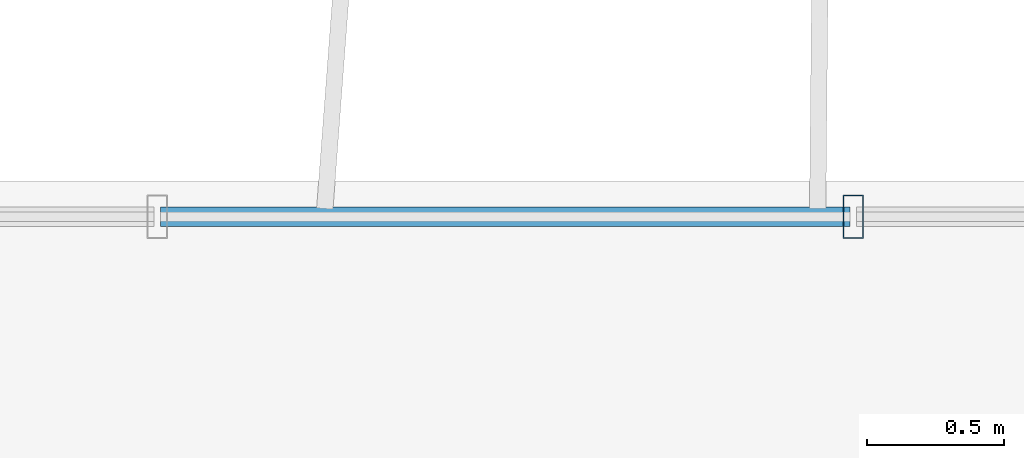
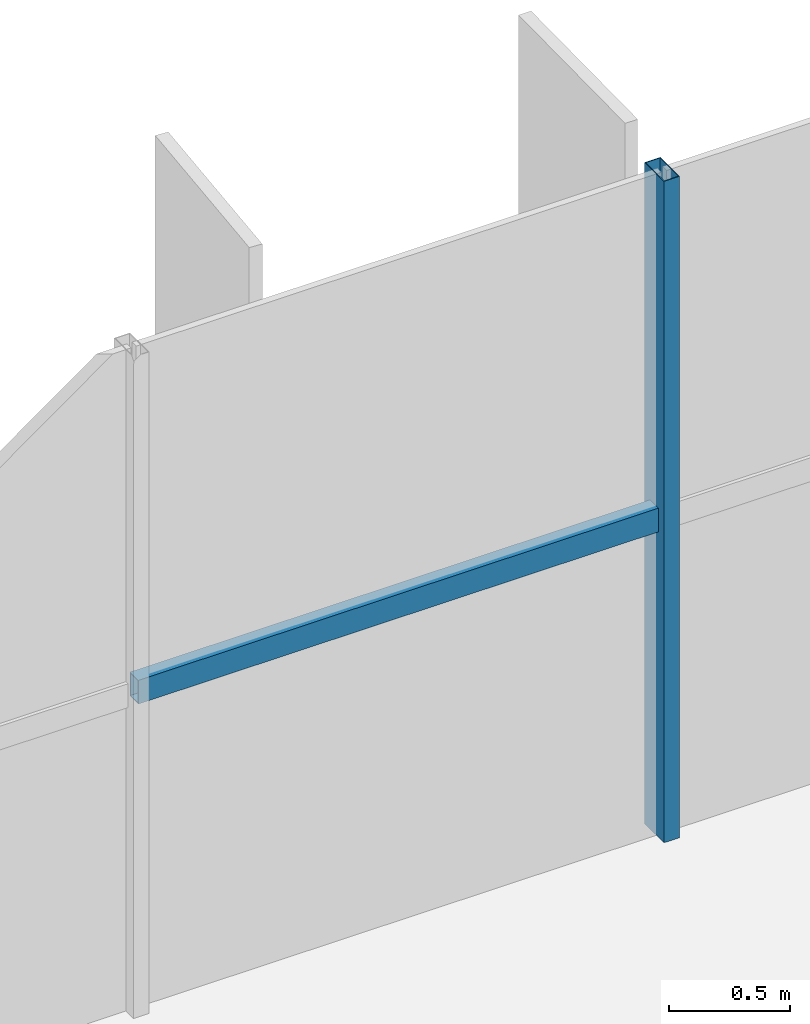
# One storey, part 7 of 22: 2 members, 1 element without a shape of its own.
"""IFC4 building model written with IfcOpenShell, lengths in metres."""

from ifc_helpers import new_model, si_unit, direction, frame, origin, origin_2d, place, context, subcontext, project, spatial, hollow_rectangle, extrude, source, transform, mapped, material, material_profile, profile_set, type_object, element, aggregate, save


model = new_model("IFC4")

# Units and contexts
model_context = context("Model", 3, precision=1e-05, world=origin(), true_north=direction((0.0, 1.0)))
body_context = subcontext(model_context, "Body", "Model", "MODEL_VIEW")
ifc_project = project(units=[si_unit("LENGTHUNIT", "METRE"), si_unit("AREAUNIT", "SQUARE_METRE"), si_unit("VOLUMEUNIT", "CUBIC_METRE"), si_unit("PLANEANGLEUNIT", "RADIAN"), si_unit("MASSUNIT", "GRAM", prefix="KILO")], contexts=[model_context])

# Site, building, storey
site_placement = place(None, origin())
site = spatial("IfcSite", under=ifc_project, at=site_placement, CompositionType="ELEMENT")
building_placement = place(site_placement, origin())
building = spatial("IfcBuilding", under=site, at=building_placement, Name="Trelvane Seafront Commons", CompositionType="ELEMENT")
storey_placement = place(building_placement, frame((0.0, 0.0, 132.10009765625)))
storey = spatial("IfcBuildingStorey", under=building, at=storey_placement, Name="L34", CompositionType="ELEMENT", Elevation=132.10009765625)

# Curtain wall, members
ifc_material = material(Name="Anodised pale-silver aluminium", Category="aluminium")
curtain_wall_type = type_object("IfcCurtainWallType", Name="ARCH-CW5-UPTOWER", PredefinedType="NOTDEFINED", material=ifc_material)
curtain_wall_placement = place(storey_placement, origin())
curtain_wall = element("IfcCurtainWall", 1, at=curtain_wall_placement, inside=storey, type_object=curtain_wall_type, Name="CW-L34-0061", PredefinedType="NOTDEFINED")
ifc_material_profile_1 = material_profile(ifc_material, hollow_rectangle(XDim=0.070068359375, YDim=0.1201171875, WallThickness=0.00390625, at=origin_2d()), Name="TRAN-70x120x4")
ifc_profile_set_1 = profile_set([ifc_material_profile_1], Name="Anodised pale-silver aluminium")
member_type_1 = type_object("IfcMemberType", Name="ARCH-CW-TRAN-120", PredefinedType="USERDEFINED", material=ifc_profile_set_1)
shared_shape_1 = source(origin(), body_context, "Body", "SweptSolid", [
    extrude(hollow_rectangle(XDim=0.070068359375, YDim=0.1201171875, WallThickness=0.00390625, at=origin_2d()), origin(), (0.0, 0.0, 1.0), 2.517333984375),
])
member_1_placement = place(storey_placement, frame((33.400146484375, 48.3701171875, 1.60791015625), z_axis=(1.0, 0.0, 0.0), x_axis=(0.0, 1.0, 0.0)))
member_1 = element("IfcMember", 2, at=member_1_placement, type_object=member_type_1, Name="CW-L34-0061-T07", ObjectType="TRANSOM", PredefinedType="USERDEFINED", context=body_context, shape_type="MappedRepresentation", body=[
    mapped(shared_shape_1, transform((0.0, 0.0, 0.0), x_axis=(1.0, 0.0, 0.0), y_axis=(0.0, 1.0, 0.0), z_axis=(0.0, 0.0, 1.0), scale=1.0)),
])
ifc_material_profile_2 = material_profile(ifc_material, hollow_rectangle(XDim=0.074951171875, YDim=0.159912109375, WallThickness=0.00390625, at=origin_2d()), Name="MULL-75x160x4")
ifc_profile_set_2 = profile_set([ifc_material_profile_2], Name="Anodised pale-silver aluminium")
member_type_2 = type_object("IfcMemberType", Name="ARCH-CW-MULL-160", PredefinedType="MULLION", material=ifc_profile_set_2)
shared_shape_2 = source(origin(), body_context, "Body", "SweptSolid", [
    extrude(hollow_rectangle(XDim=0.074951171875, YDim=0.159912109375, WallThickness=0.00390625, at=origin_2d()), origin(), (0.0, 0.0, 1.0), 3.349853515625),
])
member_2_placement = place(storey_placement, frame((35.929443359375, 48.3701171875, 0.0), z_axis=(0.0, 0.0, 1.0), x_axis=(1.0, 0.0, 0.0)))
member_2 = element("IfcMember", 3, at=member_2_placement, type_object=member_type_2, Name="CW-L34-0061-M08", PredefinedType="MULLION", context=body_context, shape_type="MappedRepresentation", body=[
    mapped(shared_shape_2, transform((0.0, 0.0, 0.0), x_axis=(1.0, 0.0, 0.0), y_axis=(0.0, 1.0, 0.0), z_axis=(0.0, 0.0, 1.0), scale=1.0)),
])
aggregate(curtain_wall, [member_2, member_1])

save(model, "model.ifc")
